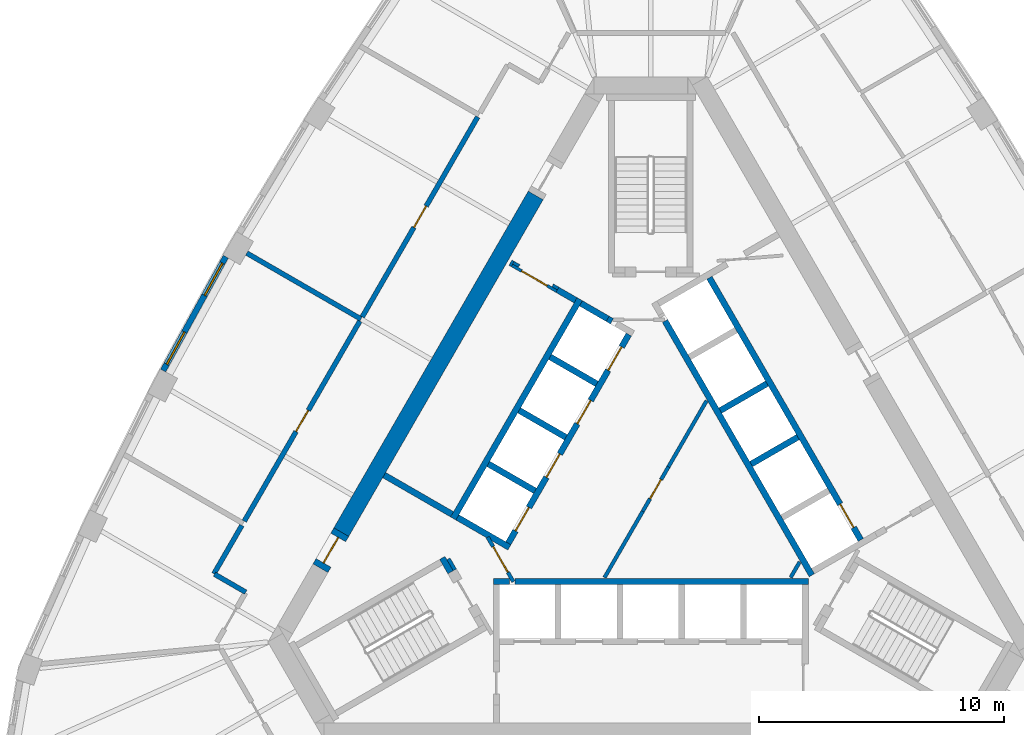
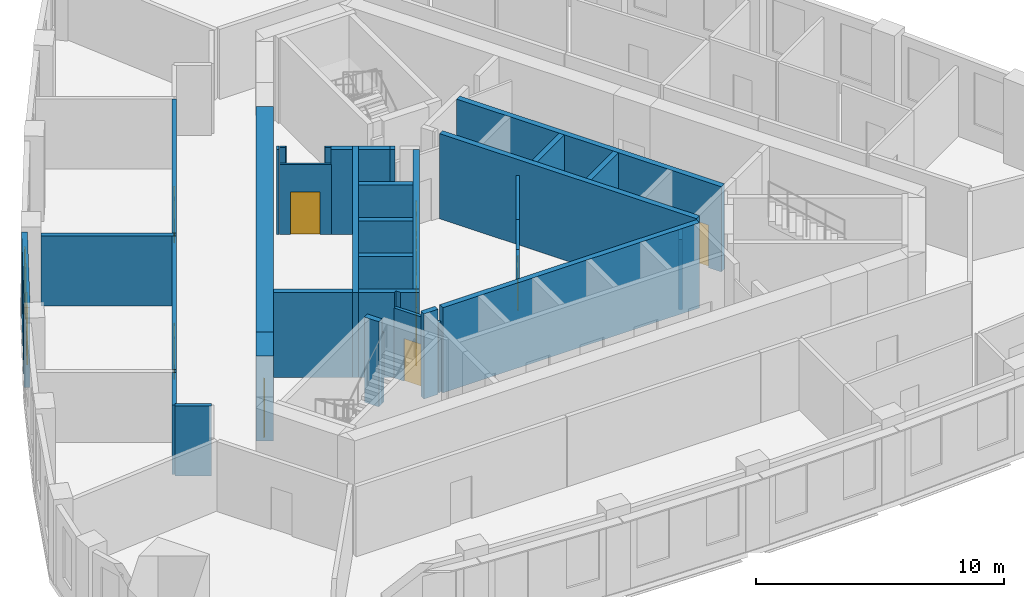
# One storey, part 4 of 10: 35 walls, 11 doors, 2 windows, 13 openings.
"""IFC4 building model written with IfcOpenShell, lengths in metres."""

from ifc_helpers import new_model, si_unit, direction, frame, frame_2d, origin, place, context, subcontext, project, spatial, polyline, rectangle, outline, extrude, material, layer, layer_set, type_object, element, fill, save


model = new_model("IFC4")

# Units and contexts
model_context = context("Model", 3, precision=1e-05, world=origin(), true_north=direction((0.0, 1.0)))
body_context = subcontext(model_context, "Body", "Model", "MODEL_VIEW")
ifc_project = project(units=[si_unit("LENGTHUNIT", "METRE"), si_unit("AREAUNIT", "SQUARE_METRE"), si_unit("VOLUMEUNIT", "CUBIC_METRE"), si_unit("PLANEANGLEUNIT", "RADIAN"), si_unit("MASSUNIT", "GRAM", prefix="KILO")], contexts=[model_context])

# Site, building, storey
site_placement = place(None, origin())
site = spatial("IfcSite", under=ifc_project, at=site_placement, CompositionType="ELEMENT")
building_placement = place(site_placement, origin())
building = spatial("IfcBuilding", under=site, at=building_placement, Name="Mestral Congress Tower", CompositionType="ELEMENT")
storey_placement = place(building_placement, frame((0.0, 0.0, 231.0)))
storey = spatial("IfcBuildingStorey", under=building, at=storey_placement, Name="L54", CompositionType="ELEMENT", Elevation=231.0)

# Walls
ifc_material_1 = material(Name="Fire-rated board partition")
ifc_layer_1 = layer(ifc_material_1, 0.14990234375)
ifc_layer_set_1 = layer_set([ifc_layer_1], Name="Fire-rated board partition")
wall_type_1 = type_object("IfcWallType", Name="Core partition 150", PredefinedType="PARTITIONING", material=ifc_layer_set_1)
wall_1_placement = place(storey_placement, frame((-8.251953125, -2.958251953125, 0.0), z_axis=(0.0, 0.0, 1.0), x_axis=(0.500174715838, -0.865924508047, 0.0)))
element("IfcWall", 1, at=wall_1_placement, inside=storey, type_object=wall_type_1, Name="L54 core wall", PredefinedType="PARTITIONING", context=body_context, shape_type="SweptSolid", body=[
    extrude(rectangle(XDim=0.513916015625, YDim=0.14990234375, at=frame_2d((0.2568359375, 0.0))), origin(), (0.0, 0.0, 1.0), 3.449951171875),
])
wall_2_placement = place(storey_placement, frame((5.704833984375, -3.718017578125, 0.0), z_axis=(0.0, 0.0, 1.0), x_axis=(0.499962090823, 0.866047289552, 0.0)))
element("IfcWall", 2, at=wall_2_placement, inside=storey, type_object=wall_type_1, Name="L54 core wall", PredefinedType="PARTITIONING", context=body_context, shape_type="SweptSolid", body=[
    extrude(rectangle(XDim=0.73486328125, YDim=0.14990234375, at=frame_2d((0.367431640625, 0.0))), origin(), (0.0, 0.0, 1.0), 3.449951171875),
])
wall_3_placement = place(storey_placement, frame((-1.886962890625, -3.71826171875, 0.0), z_axis=(0.0, 0.0, 1.0), x_axis=(0.500043732237, 0.866000153493, 0.0)))
element("IfcWall", 3, at=wall_3_placement, inside=storey, type_object=wall_type_1, Name="L54 core wall", PredefinedType="PARTITIONING", context=body_context, shape_type="SweptSolid", body=[
    extrude(rectangle(XDim=3.113525390625, YDim=0.14990234375, at=frame_2d((1.556640625, 0.0))), origin(), (0.0, 0.0, 1.0), 3.449951171875),
])
wall_4_placement = place(storey_placement, frame((0.719970703125, 0.796875, 0.0), z_axis=(0.0, 0.0, 1.0), x_axis=(0.499984921984, 0.866034108906, 0.0)))
element("IfcWall", 4, at=wall_4_placement, inside=storey, type_object=wall_type_1, Name="L54 core wall", PredefinedType="PARTITIONING", context=body_context, shape_type="SweptSolid", body=[
    extrude(rectangle(XDim=3.11328125, YDim=0.14990234375, at=frame_2d((1.556640625, 0.0))), origin(), (0.0, 0.0, 1.0), 3.449951171875),
])

# Wall, opening, door
wall_5_placement = place(storey_placement, frame((-0.330078125, -1.021728515625, 0.0), z_axis=(0.0, 0.0, 1.0), x_axis=(0.500027713859, 0.866009402589, 0.0)))
wall_5 = element("IfcWall", 5, at=wall_5_placement, inside=storey, type_object=wall_type_1, Name="L54 door wall", PredefinedType="PARTITIONING", context=body_context, shape_type="SweptSolid", body=[
    extrude(rectangle(XDim=2.10009765625, YDim=0.14990234375, at=frame_2d((1.050048828125, 0.0))), origin(), (0.0, 0.0, 1.0), 3.449951171875),
])
opening_1_placement = place(wall_5_placement, frame((0.60009765625, 0.0, 0.0)))
opening_1 = element("IfcOpeningElement", 6, at=opening_1_placement, cuts=wall_5, Name="Opening CD1-HUB0", PredefinedType="OPENING", context=body_context, shape_type="SweptSolid", body=[
    extrude(rectangle(XDim=0.89990234375, YDim=2.10009765625, at=frame_2d((0.449951171875, 1.050048828125))), frame((0.0, 0.0849609375, 0.0), z_axis=(0.0, -1.0, 0.0), x_axis=(1.0, 0.0, 0.0)), (0.0, 0.0, 1.0), 0.169921875),
])
ifc_material_2 = material(Name="Fire-rated steel door set", Category="steel")
door_type_1 = type_object("IfcDoorType", Name="Core door CD 900x2100", OperationType="SINGLE_SWING_LEFT", PredefinedType="DOOR", material=ifc_material_2)
door_1_placement = place(opening_1_placement, origin())
door_1 = element("IfcDoor", 7, at=door_1_placement, inside=storey, type_object=door_type_1, Name="Door CD1-HUB0", OperationType="SINGLE_SWING_LEFT", OverallHeight=2.10009765625, OverallWidth=0.89990234375, PredefinedType="DOOR", context=body_context, shape_type="SweptSolid", body=[
    extrude(rectangle(XDim=0.89990234375, YDim=2.10009765625, at=frame_2d((0.449951171875, 1.050048828125))), frame((0.0, 0.02490234375, 0.0), z_axis=(0.0, -1.0, 0.0), x_axis=(1.0, 0.0, 0.0)), (0.0, 0.0, 1.0), 0.050048828125),
])
fill(opening_1, door_1)

wall_6_placement = place(storey_placement, frame((-5.606201171875, -3.8896484375, 0.0), z_axis=(0.0, 0.0, 1.0), x_axis=(-0.500027713859, 0.866009402589, 0.0)))
wall_6 = element("IfcWall", 8, at=wall_6_placement, inside=storey, type_object=wall_type_1, Name="L54 door wall", PredefinedType="PARTITIONING", context=body_context, shape_type="SweptSolid", body=[
    extrude(rectangle(XDim=2.10009765625, YDim=0.14990234375, at=frame_2d((1.050048828125, 0.0))), origin(), (0.0, 0.0, 1.0), 3.449951171875),
])
opening_2_placement = place(wall_6_placement, frame((0.449951171875, 0.0, 0.0)))
opening_2 = element("IfcOpeningElement", 9, at=opening_2_placement, cuts=wall_6, Name="Opening CD3-FF", PredefinedType="OPENING", context=body_context, shape_type="SweptSolid", body=[
    extrude(rectangle(XDim=1.199951171875, YDim=2.10009765625, at=frame_2d((0.60009765625, 1.050048828125))), frame((0.0, 0.0849609375, 0.0), z_axis=(0.0, -1.0, 0.0), x_axis=(1.0, 0.0, 0.0)), (0.0, 0.0, 1.0), 0.169921875),
])
door_type_2 = type_object("IfcDoorType", Name="Core door CD 1200x2100", OperationType="SINGLE_SWING_LEFT", PredefinedType="DOOR", material=ifc_material_2)
door_2_placement = place(opening_2_placement, origin())
door_2 = element("IfcDoor", 10, at=door_2_placement, inside=storey, type_object=door_type_2, Name="Door CD3-FF", OperationType="SINGLE_SWING_LEFT", OverallHeight=2.10009765625, OverallWidth=1.199951171875, PredefinedType="DOOR", context=body_context, shape_type="SweptSolid", body=[
    extrude(rectangle(XDim=1.199951171875, YDim=2.10009765625, at=frame_2d((0.60009765625, 1.050048828125))), frame((0.0, 0.02490234375, 0.0), z_axis=(0.0, -1.0, 0.0), x_axis=(1.0, 0.0, 0.0)), (0.0, 0.0, 1.0), 0.050048828125),
])
fill(opening_2, door_2)

ifc_layer_2 = layer(ifc_material_1, 0.1201171875)
ifc_layer_set_2 = layer_set([ifc_layer_2], Name="Fire-rated board partition")
wall_type_2 = type_object("IfcWallType", Name="Core partition 150 door-wall 120", PredefinedType="PARTITIONING", material=ifc_layer_set_2)
wall_7_placement = place(storey_placement, frame((-5.65869140625, 9.01171875, 0.0), z_axis=(0.0, 0.0, 1.0), x_axis=(0.866009402589, -0.500027713859, 0.0)))
wall_7 = element("IfcWall", 11, at=wall_7_placement, inside=storey, type_object=wall_type_2, Name="L54 door wall", PredefinedType="PARTITIONING", context=body_context, shape_type="SweptSolid", body=[
    extrude(rectangle(XDim=2.10009765625, YDim=0.1201171875, at=frame_2d((1.050048828125, 0.0))), origin(), (0.0, 0.0, 1.0), 3.449951171875),
])
opening_3_placement = place(wall_7_placement, frame((0.449951171875, 0.0, 0.0)))
opening_3 = element("IfcOpeningElement", 12, at=opening_3_placement, cuts=wall_7, Name="Opening LB2-WL2", PredefinedType="OPENING", context=body_context, shape_type="SweptSolid", body=[
    extrude(rectangle(XDim=1.199951171875, YDim=2.10009765625, at=frame_2d((0.60009765625, 1.050048828125))), frame((0.0, 0.070068359375, 0.0), z_axis=(0.0, -1.0, 0.0), x_axis=(1.0, 0.0, 0.0)), (0.0, 0.0, 1.0), 0.14013671875),
])
door_type_3 = type_object("IfcDoorType", Name="Core door LB 1200x2100", OperationType="SINGLE_SWING_LEFT", PredefinedType="DOOR", material=ifc_material_2)
door_3_placement = place(opening_3_placement, origin())
door_3 = element("IfcDoor", 13, at=door_3_placement, inside=storey, type_object=door_type_3, Name="Door LB2-WL2", OperationType="SINGLE_SWING_LEFT", OverallHeight=2.10009765625, OverallWidth=1.199951171875, PredefinedType="DOOR", context=body_context, shape_type="SweptSolid", body=[
    extrude(rectangle(XDim=1.199951171875, YDim=2.10009765625, at=frame_2d((0.60009765625, 1.050048828125))), frame((0.0, 0.02490234375, 0.0), z_axis=(0.0, -1.0, 0.0), x_axis=(1.0, 0.0, 0.0)), (0.0, 0.0, 1.0), 0.050048828125),
])
fill(opening_3, door_3)

# Wall
ifc_material_3 = material(Name="Concrete C60/75", Category="concrete")
ifc_layer_3 = layer(ifc_material_3, 0.699951171875)
ifc_layer_set_3 = layer_set([ifc_layer_3], Name="Concrete C60/75")
wall_type_3 = type_object("IfcWallType", Name="Core wall RC 700", PredefinedType="SOLIDWALL", material=ifc_layer_set_3)
wall_8_placement = place(storey_placement, frame((-12.625, -1.866943359375, 0.0), z_axis=(0.0, 0.0, 1.0), x_axis=(0.500008520515, 0.866020484407, 0.0)))
element("IfcWall", 14, at=wall_8_placement, inside=storey, type_object=wall_type_3, Name="L54 core wall", PredefinedType="SOLIDWALL", context=body_context, shape_type="SweptSolid", body=[
    extrude(rectangle(XDim=15.858642578125, YDim=0.699951171875, at=frame_2d((7.92919921875, 0.0))), origin(), (0.0, 0.0, 1.0), 4.199951171875),
])

# Wall, opening, door
wall_9_placement = place(storey_placement, frame((-13.474853515625, -3.339111328125, 0.0), z_axis=(0.0, 0.0, 1.0), x_axis=(0.499954529098, 0.86605165483, 0.0)))
wall_9 = element("IfcWall", 15, at=wall_9_placement, inside=storey, type_object=wall_type_3, Name="L54 door wall", PredefinedType="SOLIDWALL", context=body_context, shape_type="SweptSolid", body=[
    extrude(rectangle(XDim=1.699951171875, YDim=0.699951171875, at=frame_2d((0.85009765625, 0.0))), origin(), (0.0, 0.0, 1.0), 4.199951171875),
])
opening_4_placement = place(wall_9_placement, frame((0.25, 0.0, 0.0)))
opening_4 = element("IfcOpeningElement", 16, at=opening_4_placement, cuts=wall_9, Name="Opening XD3", PredefinedType="OPENING", context=body_context, shape_type="SweptSolid", body=[
    extrude(rectangle(XDim=1.199951171875, YDim=2.10009765625, at=frame_2d((0.60009765625, 1.050048828125))), frame((0.0, 0.35986328125, 0.0), z_axis=(0.0, -1.0, 0.0), x_axis=(1.0, 0.0, 0.0)), (0.0, 0.0, 1.0), 0.719970703125),
])
door_type_4 = type_object("IfcDoorType", Name="Core door XD 1200x2100", OperationType="SINGLE_SWING_LEFT", PredefinedType="DOOR", material=ifc_material_2)
door_4_placement = place(opening_4_placement, origin())
door_4 = element("IfcDoor", 17, at=door_4_placement, inside=storey, type_object=door_type_4, Name="Door XD3", OperationType="SINGLE_SWING_LEFT", OverallHeight=2.10009765625, OverallWidth=1.199951171875, PredefinedType="DOOR", context=body_context, shape_type="SweptSolid", body=[
    extrude(rectangle(XDim=1.199951171875, YDim=2.10009765625, at=frame_2d((0.60009765625, 1.050048828125))), frame((0.0, 0.02490234375, 0.0), z_axis=(0.0, -1.0, 0.0), x_axis=(1.0, 0.0, 0.0)), (0.0, 0.0, 1.0), 0.050048828125),
])
fill(opening_4, door_4)

# Wall, openings, windows
ifc_material_4 = material(Name="Precast concrete C40/50 with limestone facing", Category="masonry")
ifc_layer_4 = layer(ifc_material_4, 0.239990234375)
ifc_layer_set_4 = layer_set([ifc_layer_4], Name="Precast concrete C40/50 with limestone facing")
wall_type_4 = type_object("IfcWallType", Name="Facade stone wall 240", PredefinedType="SOLIDWALL", material=ifc_layer_set_4)
wall_10_placement = place(storey_placement, frame((-17.338134765625, 9.367919921875, 0.0), z_axis=(0.0, 0.0, 1.0), x_axis=(-0.481925825015, -0.876212017256, 0.0)))
wall_10 = element("IfcWall", 18, at=wall_10_placement, inside=storey, type_object=wall_type_4, Name="Facade wall F2-03", PredefinedType="SOLIDWALL", context=body_context, shape_type="SweptSolid", body=[
    extrude(rectangle(XDim=5.298583984375, YDim=0.239990234375, at=frame_2d((2.6494140625, 0.0))), origin(), (0.0, 0.0, 1.0), 3.949951171875),
])
opening_5_placement = place(wall_10_placement, frame((0.294677734375, 0.0, 0.89990234375)))
opening_5 = element("IfcOpeningElement", 19, at=opening_5_placement, cuts=wall_10, Name="Opening W4", PredefinedType="OPENING", context=body_context, shape_type="SweptSolid", body=[
    extrude(rectangle(XDim=1.5, YDim=2.550048828125, at=frame_2d((0.75, 1.27490234375))), frame((0.0, 0.1298828125, 0.0), z_axis=(0.0, -1.0, 0.0), x_axis=(1.0, 0.0, 0.0)), (0.0, 0.0, 1.0), 0.260009765625),
])
opening_6_placement = place(wall_10_placement, frame((3.503662109375, 0.0, 0.89990234375)))
opening_6 = element("IfcOpeningElement", 20, at=opening_6_placement, cuts=wall_10, Name="Opening W4", PredefinedType="OPENING", context=body_context, shape_type="SweptSolid", body=[
    extrude(rectangle(XDim=1.5, YDim=2.550048828125, at=frame_2d((0.75, 1.27490234375))), frame((0.0, 0.1298828125, 0.0), z_axis=(0.0, -1.0, 0.0), x_axis=(1.0, 0.0, 0.0)), (0.0, 0.0, 1.0), 0.260009765625),
])
ifc_material_5 = material(Name="Clear low-emissivity double glazing", Category="glass")
window_type = type_object("IfcWindowType", Name="Facade punched window 1500 x 2550 sill 900", PartitioningType="SINGLE_PANEL", PredefinedType="WINDOW", material=ifc_material_5)
window_1_placement = place(opening_5_placement, origin())
window_1 = element("IfcWindow", 21, at=window_1_placement, inside=storey, type_object=window_type, Name="Window F2-03a", OverallHeight=2.550048828125, OverallWidth=1.5, PartitioningType="SINGLE_PANEL", PredefinedType="WINDOW", context=body_context, shape_type="SweptSolid", body=[
    extrude(rectangle(XDim=1.5, YDim=2.550048828125, at=frame_2d((0.75, 1.27490234375))), frame((0.0, 0.0400390625, 0.0), z_axis=(0.0, -1.0, 0.0), x_axis=(1.0, 0.0, 0.0)), (0.0, 0.0, 1.0), 0.06005859375),
])
fill(opening_5, window_1)
window_2_placement = place(opening_6_placement, origin())
window_2 = element("IfcWindow", 22, at=window_2_placement, inside=storey, type_object=window_type, Name="Window F2-03b", OverallHeight=2.550048828125, OverallWidth=1.5, PartitioningType="SINGLE_PANEL", PredefinedType="WINDOW", context=body_context, shape_type="SweptSolid", body=[
    extrude(rectangle(XDim=1.5, YDim=2.550048828125, at=frame_2d((0.75, 1.27490234375))), frame((0.0, 0.0400390625, 0.0), z_axis=(0.0, -1.0, 0.0), x_axis=(1.0, 0.0, 0.0)), (0.0, 0.0, 1.0), 0.06005859375),
])
fill(opening_6, window_2)

# Wall
ifc_material_6 = material(Name="Dense masonry wall, plastered", Category="masonry")
ifc_layer_5 = layer(ifc_material_6, 0.199951171875)
ifc_layer_set_5 = layer_set([ifc_layer_5], Name="Dense masonry wall, plastered")
wall_type_5 = type_object("IfcWallType", Name="Office tenancy wall 200", PredefinedType="PARTITIONING", material=ifc_layer_set_5)
wall_11_placement = place(storey_placement, frame((-11.8212890625, 6.824951171875, 0.0), z_axis=(0.0, 0.0, 1.0), x_axis=(-0.866011792348, 0.500023574959, 0.0)))
element("IfcWall", 23, at=wall_11_placement, inside=storey, type_object=wall_type_5, Name="Tenancy wall", PredefinedType="PARTITIONING", context=body_context, shape_type="SweptSolid", body=[
    extrude(rectangle(XDim=5.380615234375, YDim=0.199951171875, at=frame_2d((2.6904296875, 0.0))), origin(), (0.0, 0.0, 1.0), 3.449951171875),
])

# Wall, opening, door
wall_12_placement = place(storey_placement, frame((-7.061279296875, 15.0693359375, 0.0), z_axis=(0.0, 0.0, 1.0), x_axis=(-0.500008127286, -0.866020711443, 0.0)))
wall_12 = element("IfcWall", 24, at=wall_12_placement, inside=storey, type_object=wall_type_5, Name="Tenancy wall", PredefinedType="PARTITIONING", context=body_context, shape_type="SweptSolid", body=[
    extrude(rectangle(XDim=9.419677734375, YDim=0.199951171875, at=frame_2d((4.7099609375, 0.0))), origin(), (0.0, 0.0, 1.0), 3.449951171875),
])
opening_7_placement = place(wall_12_placement, frame((4.199951171875, 0.0, 0.0)))
opening_7 = element("IfcOpeningElement", 25, at=opening_7_placement, cuts=wall_12, Name="Opening O08-002", PredefinedType="OPENING", context=body_context, shape_type="SweptSolid", body=[
    extrude(rectangle(XDim=1.0, YDim=2.10009765625, at=frame_2d((0.5, 1.050048828125))), frame((0.0, 0.10986328125, 0.0), z_axis=(0.0, -1.0, 0.0), x_axis=(1.0, 0.0, 0.0)), (0.0, 0.0, 1.0), 0.219970703125),
])
ifc_material_7 = material(Name="Fire-rated timber door set", Category="wood")
door_type_5 = type_object("IfcDoorType", Name="Office tenancy entrance door 1000x2100", OperationType="SINGLE_SWING_LEFT", PredefinedType="DOOR", material=ifc_material_7)
door_5_placement = place(opening_7_placement, origin())
door_5 = element("IfcDoor", 26, at=door_5_placement, inside=storey, type_object=door_type_5, Name="Door O08-002", OperationType="SINGLE_SWING_LEFT", OverallHeight=2.10009765625, OverallWidth=1.0, PredefinedType="DOOR", context=body_context, shape_type="SweptSolid", body=[
    extrude(rectangle(XDim=1.0, YDim=2.10009765625, at=frame_2d((0.5, 1.050048828125))), frame((0.0, 0.02490234375, 0.0), z_axis=(0.0, -1.0, 0.0), x_axis=(1.0, 0.0, 0.0)), (0.0, 0.0, 1.0), 0.050048828125),
])
fill(opening_7, door_5)

wall_13_placement = place(storey_placement, frame((-11.87109375, 6.73828125, 0.0), z_axis=(0.0, 0.0, 1.0), x_axis=(-0.500019350398, -0.866014231539, 0.0)))
wall_13 = element("IfcWall", 27, at=wall_13_placement, inside=storey, type_object=wall_type_5, Name="Tenancy wall", PredefinedType="PARTITIONING", context=body_context, shape_type="SweptSolid", body=[
    extrude(rectangle(XDim=9.419677734375, YDim=0.199951171875, at=frame_2d((4.7099609375, 0.0))), origin(), (0.0, 0.0, 1.0), 3.449951171875),
])
opening_8_placement = place(wall_13_placement, frame((4.199951171875, 0.0, 0.0)))
opening_8 = element("IfcOpeningElement", 28, at=opening_8_placement, cuts=wall_13, Name="Opening O08-003", PredefinedType="OPENING", context=body_context, shape_type="SweptSolid", body=[
    extrude(rectangle(XDim=1.0, YDim=2.10009765625, at=frame_2d((0.5, 1.050048828125))), frame((0.0, 0.10986328125, 0.0), z_axis=(0.0, -1.0, 0.0), x_axis=(1.0, 0.0, 0.0)), (0.0, 0.0, 1.0), 0.219970703125),
])
door_6_placement = place(opening_8_placement, origin())
door_6 = element("IfcDoor", 29, at=door_6_placement, inside=storey, type_object=door_type_5, Name="Door O08-003", OperationType="SINGLE_SWING_LEFT", OverallHeight=2.10009765625, OverallWidth=1.0, PredefinedType="DOOR", context=body_context, shape_type="SweptSolid", body=[
    extrude(rectangle(XDim=1.0, YDim=2.10009765625, at=frame_2d((0.5, 1.050048828125))), frame((0.0, 0.02490234375, 0.0), z_axis=(0.0, -1.0, 0.0), x_axis=(1.0, 0.0, 0.0)), (0.0, 0.0, 1.0), 0.050048828125),
])
fill(opening_8, door_6)

# Walls
wall_14_placement = place(storey_placement, frame((-16.68115234375, -1.592529296875, 0.0), z_axis=(0.0, 0.0, 1.0), x_axis=(-0.499985038317, -0.866034041744, 0.0)))
element("IfcWall", 30, at=wall_14_placement, inside=storey, type_object=wall_type_5, Name="Tenancy wall", PredefinedType="PARTITIONING", context=body_context, shape_type="SweptSolid", body=[
    extrude(rectangle(XDim=2.2802734375, YDim=0.199951171875, at=frame_2d((1.14013671875, 0.0))), origin(), (0.0, 0.0, 1.0), 3.449951171875),
])
wall_15_placement = place(storey_placement, frame((-17.79541015625, -3.582275390625, 0.0), z_axis=(0.0, 0.0, 1.0), x_axis=(0.866016893711, -0.50001473959, 0.0)))
element("IfcWall", 31, at=wall_15_placement, inside=storey, type_object=wall_type_5, Name="Tenancy wall", PredefinedType="PARTITIONING", context=body_context, shape_type="SweptSolid", body=[
    extrude(rectangle(XDim=1.47021484375, YDim=0.199951171875, at=frame_2d((0.735107421875, 0.0))), origin(), (0.0, 0.0, 1.0), 3.449951171875),
])
ifc_layer_6 = layer(ifc_material_3, 0.25)
ifc_layer_set_6 = layer_set([ifc_layer_6], Name="Concrete C60/75")
wall_type_6 = type_object("IfcWallType", Name="Shaft wall RC 250", PredefinedType="SOLIDWALL", material=ifc_layer_set_6)
wall_16_placement = place(storey_placement, frame((-5.544921875, -3.875, 0.0), z_axis=(0.0, 0.0, 1.0), x_axis=(1.0, 0.0, 0.0)))
element("IfcWall", 32, at=wall_16_placement, inside=storey, type_object=wall_type_6, Name="L54 core wall", PredefinedType="SOLIDWALL", context=body_context, shape_type="SweptSolid", body=[
    extrude(rectangle(XDim=11.969970703125, YDim=0.25, at=frame_2d((5.98486328125, 0.0))), origin(), (0.0, 0.0, 1.0), 4.199951171875),
])
wall_17_placement = place(storey_placement, frame((-6.425048828125, -3.875, 0.0), z_axis=(0.0, 0.0, 1.0), x_axis=(1.0, 0.0, 0.0)))
element("IfcWall", 33, at=wall_17_placement, inside=storey, type_object=wall_type_6, Name="L54 core wall", PredefinedType="SOLIDWALL", context=body_context, shape_type="SweptSolid", body=[
    extrude(rectangle(XDim=0.657958984375, YDim=0.25, at=frame_2d((0.3291015625, 0.0))), origin(), (0.0, 0.0, 1.0), 4.199951171875),
])
wall_18_placement = place(storey_placement, frame((6.568359375, -3.626708984375, 0.0), z_axis=(0.0, 0.0, 1.0), x_axis=(-0.499999455981, 0.866025717874, 0.0)))
element("IfcWall", 34, at=wall_18_placement, inside=storey, type_object=wall_type_6, Name="L54 core wall", PredefinedType="SOLIDWALL", context=body_context, shape_type="SweptSolid", body=[
    extrude(rectangle(XDim=11.97802734375, YDim=0.25, at=frame_2d((5.989013671875, 0.0))), origin(), (0.0, 0.0, 1.0), 4.199951171875),
])
for number, where, z_axis, x_axis, name in (
    (35, (2.833984375, 3.091064453125, 0.0), (0.0, 0.0, 1.0), (0.866008176907, 0.50002983664, 0.0), "L54 core wall"),
    (36, (4.093994140625, 0.90869140625, 0.0), (0.0, 0.0, 1.0), (0.866008176907, 0.50002983664, 0.0), "L54 core wall"),
):
    element("IfcWall", number, at=place(storey_placement, frame(where, z_axis=z_axis, x_axis=x_axis)), inside=storey, type_object=wall_type_6, Name=name, PredefinedType="SOLIDWALL", context=body_context, shape_type="SweptSolid", body=[
        extrude(rectangle(XDim=2.199951171875, YDim=0.25, at=frame_2d((1.10009765625, 0.0))), origin(), (0.0, 0.0, 1.0), 4.199951171875),
    ])
wall_19_placement = place(storey_placement, frame((-8.06005859375, -1.310546875, 0.0), z_axis=(0.0, 0.0, 1.0), x_axis=(0.50000273126, 0.866023826885, 0.0)))
element("IfcWall", 37, at=wall_19_placement, inside=storey, type_object=wall_type_6, Name="L54 core wall", PredefinedType="SOLIDWALL", context=body_context, shape_type="SweptSolid", body=[
    extrude(rectangle(XDim=10.330078125, YDim=0.25, at=frame_2d((5.1650390625, 0.0))), origin(), (0.0, 0.0, 1.0), 4.199951171875),
])
wall_20_placement = place(storey_placement, frame((-1.75830078125, 6.834716796875, 0.0), z_axis=(0.0, 0.0, 1.0), x_axis=(0.865982457891, -0.500074377092, 0.0)))
element("IfcWall", 38, at=wall_20_placement, inside=storey, type_object=wall_type_6, Name="L54 core wall", PredefinedType="SOLIDWALL", context=body_context, shape_type="SweptSolid", body=[
    extrude(rectangle(XDim=0.2001953125, YDim=0.25, at=frame_2d((0.10009765625, 0.0))), origin(), (0.0, 0.0, 1.0), 4.199951171875),
])
wall_21_placement = place(storey_placement, frame((-1.760009765625, 6.835693359375, 0.0), z_axis=(0.0, 0.0, 1.0), x_axis=(-0.865952863304, 0.500125622755, 0.0)))
element("IfcWall", 39, at=wall_21_placement, inside=storey, type_object=wall_type_6, Name="L54 core wall", PredefinedType="SOLIDWALL", context=body_context, shape_type="SweptSolid", body=[
    extrude(rectangle(XDim=1.258056640625, YDim=0.25, at=frame_2d((0.62890625, 0.0))), origin(), (0.0, 0.0, 1.0), 4.199951171875),
])
for number, where, z_axis, x_axis, name in (
    (40, (-2.2041015625, 4.182373046875, 0.0), (0.0, 0.0, 1.0), (-0.866008176907, 0.50002983664, 0.0), "L54 core wall"),
    (41, (-5.369384765625, 3.10009765625, 0.0), (0.0, 0.0, 1.0), (0.866008176907, -0.50002983664, 0.0), "L54 core wall"),
    (42, (-4.72412109375, -0.182373046875, 0.0), (0.0, 0.0, 1.0), (-0.866008176907, 0.50002983664, 0.0), "L54 core wall"),
):
    element("IfcWall", number, at=place(storey_placement, frame(where, z_axis=z_axis, x_axis=x_axis)), inside=storey, type_object=wall_type_6, Name=name, PredefinedType="SOLIDWALL", context=body_context, shape_type="SweptSolid", body=[
        extrude(rectangle(XDim=2.199951171875, YDim=0.25, at=frame_2d((1.10009765625, 0.0))), origin(), (0.0, 0.0, 1.0), 4.199951171875),
    ])
placement = place(storey_placement, origin())
element("IfcWall", 43, at=placement, inside=storey, type_object=wall_type_6, Name="L54 core wall", PredefinedType="SOLIDWALL", context=body_context, shape_type="SweptSolid", body=[
    extrude(outline(polyline([(-5.921630859375, -2.256591796875), (-5.921630859375, -2.256591796875), (-5.705078125, -2.381591796875), (-5.830078125, -2.597900390625), (-6.48291015625, -2.22119140625), (-6.59130859375, -2.033447265625), (-6.59130859375, -2.033447265625), (-6.69970703125, -2.095947265625), (-7.951904296875, -1.373046875), (-7.826904296875, -1.156494140625), (-5.921630859375, -2.256591796875)])), origin(), (0.0, 0.0, 1.0), 4.199951171875),
])
wall_23_placement = place(storey_placement, frame((-8.10595703125, -1.139892578125, 0.0), z_axis=(0.0, 0.0, 1.0), x_axis=(-0.866008981251, 0.500028443584, 0.0)))
element("IfcWall", 44, at=wall_23_placement, inside=storey, type_object=wall_type_6, Name="L54 core wall", PredefinedType="SOLIDWALL", context=body_context, shape_type="SweptSolid", body=[
    extrude(rectangle(XDim=3.199951171875, YDim=0.25, at=frame_2d((1.60009765625, 0.0))), origin(), (0.0, 0.0, 1.0), 4.199951171875),
])
wall_24_placement = place(storey_placement, frame((-5.724609375, 9.124755859375, 0.0), z_axis=(0.0, 0.0, 1.0), x_axis=(0.866185586049, -0.49972245349, 0.0)))
element("IfcWall", 45, at=wall_24_placement, inside=storey, type_object=wall_type_6, Name="L54 core wall", PredefinedType="SOLIDWALL", context=body_context, shape_type="SweptSolid", body=[
    extrude(rectangle(XDim=0.10986328125, YDim=0.25, at=frame_2d((0.054931640625, 0.0))), origin(), (0.0, 0.0, 1.0), 4.199951171875),
])
wall_25_placement = place(storey_placement, frame((-3.06591796875, 7.58984375, 0.0), z_axis=(0.0, 0.0, 1.0), x_axis=(-0.866081358704, 0.49990307071, 0.0)))
element("IfcWall", 46, at=wall_25_placement, inside=storey, type_object=wall_type_6, Name="L54 core wall", PredefinedType="SOLIDWALL", context=body_context, shape_type="SweptSolid", body=[
    extrude(rectangle(XDim=0.858154296875, YDim=0.25, at=frame_2d((0.42919921875, 0.0))), origin(), (0.0, 0.0, 1.0), 4.199951171875),
])
element("IfcWall", 47, at=placement, inside=storey, type_object=wall_type_6, Name="L54 core wall", PredefinedType="SOLIDWALL", context=body_context, shape_type="SweptSolid", body=[
    extrude(outline(polyline([(-3.748291015625, 8.1279296875), (-3.813232421875, 8.015380859375), (-4.026611328125, 8.138671875), (-4.0166015625, 8.156005859375), (-4.007568359375, 8.17333984375), (-4.000244140625, 8.191650390625), (-3.994873046875, 8.21044921875), (-3.991455078125, 8.229736328125), (-3.98974609375, 8.24951171875), (-3.989990234375, 8.267578125), (-3.748291015625, 8.1279296875)])), origin(), (0.0, 0.0, 1.0), 4.199951171875),
])
element("IfcWall", 48, at=placement, inside=storey, type_object=wall_type_6, Name="L54 core wall", PredefinedType="SOLIDWALL", context=body_context, shape_type="SweptSolid", body=[
    extrude(outline(polyline([(-5.688720703125, 8.959716796875), (-5.690185546875, 8.960693359375), (-5.565185546875, 9.177001953125), (-5.318603515625, 9.03466796875), (-5.334716796875, 9.02587890625), (-5.3505859375, 9.0146484375), (-5.36572265625, 9.001953125), (-5.37939453125, 8.98779296875), (-5.3916015625, 8.972412109375), (-5.402099609375, 8.955810546875), (-5.412109375, 8.938720703125), (-5.628662109375, 9.063720703125), (-5.628662109375, 9.063720703125), (-5.688720703125, 8.959716796875)])), origin(), (0.0, 0.0, 1.0), 4.199951171875),
])

# Wall, opening, door
wall_28_placement = place(storey_placement, frame((8.565185546875, -2.185302734375, 0.0), z_axis=(0.0, 0.0, 1.0), x_axis=(-0.499997954832, 0.866026584559, 0.0)))
wall_28 = element("IfcWall", 49, at=wall_28_placement, inside=storey, type_object=wall_type_6, Name="L54 door wall", PredefinedType="SOLIDWALL", context=body_context, shape_type="SweptSolid", body=[
    extrude(rectangle(XDim=12.35009765625, YDim=0.25, at=frame_2d((6.175048828125, 0.0))), origin(), (0.0, 0.0, 1.0), 4.199951171875),
])
opening_9_placement = place(wall_28_placement, frame((0.5849609375, 0.0, 0.0)))
opening_9 = element("IfcOpeningElement", 50, at=opening_9_placement, cuts=wall_28, Name="Opening LD-NEB1", PredefinedType="OPENING", context=body_context, shape_type="SweptSolid", body=[
    extrude(rectangle(XDim=1.10009765625, YDim=2.10009765625, at=frame_2d((0.550048828125, 1.050048828125))), frame((0.0, 0.135009765625, 0.0), z_axis=(0.0, -1.0, 0.0), x_axis=(1.0, 0.0, 0.0)), (0.0, 0.0, 1.0), 0.27001953125),
])
door_type_6 = type_object("IfcDoorType", Name="Core door LD 1100x2100", OperationType="DOUBLE_DOOR_SLIDING", PredefinedType="DOOR", material=ifc_material_2)
door_7_placement = place(opening_9_placement, origin())
door_7 = element("IfcDoor", 51, at=door_7_placement, inside=storey, type_object=door_type_6, Name="Door LD-NEB1", OperationType="DOUBLE_DOOR_SLIDING", OverallHeight=2.10009765625, OverallWidth=1.10009765625, PredefinedType="DOOR", context=body_context, shape_type="SweptSolid", body=[
    extrude(rectangle(XDim=1.10009765625, YDim=2.10009765625, at=frame_2d((0.550048828125, 1.050048828125))), frame((0.0, 0.02490234375, 0.0), z_axis=(0.0, -1.0, 0.0), x_axis=(1.0, 0.0, 0.0)), (0.0, 0.0, 1.0), 0.050048828125),
])
fill(opening_9, door_7)

# Wall, openings, doors
wall_29_placement = place(storey_placement, frame((-0.898193359375, 6.194091796875, 0.0), z_axis=(0.0, 0.0, 1.0), x_axis=(-0.499996202215, -0.866027596426, 0.0)))
wall_29 = element("IfcWall", 52, at=wall_29_placement, inside=storey, type_object=wall_type_6, Name="L54 door wall", PredefinedType="SOLIDWALL", context=body_context, shape_type="SweptSolid", body=[
    extrude(rectangle(XDim=9.830078125, YDim=0.25, at=frame_2d((4.9150390625, 0.0))), origin(), (0.0, 0.0, 1.0), 4.199951171875),
])
opening_10_placement = place(wall_29_placement, frame((0.5849609375, 0.0, 0.0)))
opening_10 = element("IfcOpeningElement", 53, at=opening_10_placement, cuts=wall_29, Name="Opening LD-NWB1", PredefinedType="OPENING", context=body_context, shape_type="SweptSolid", body=[
    extrude(rectangle(XDim=1.10009765625, YDim=2.10009765625, at=frame_2d((0.550048828125, 1.050048828125))), frame((0.0, 0.135009765625, 0.0), z_axis=(0.0, -1.0, 0.0), x_axis=(1.0, 0.0, 0.0)), (0.0, 0.0, 1.0), 0.27001953125),
])
opening_11_placement = place(wall_29_placement, frame((3.10498046875, 0.0, 0.0)))
opening_11 = element("IfcOpeningElement", 54, at=opening_11_placement, cuts=wall_29, Name="Opening LD-NWB2", PredefinedType="OPENING", context=body_context, shape_type="SweptSolid", body=[
    extrude(rectangle(XDim=1.10009765625, YDim=2.10009765625, at=frame_2d((0.550048828125, 1.050048828125))), frame((0.0, 0.135009765625, 0.0), z_axis=(0.0, -1.0, 0.0), x_axis=(1.0, 0.0, 0.0)), (0.0, 0.0, 1.0), 0.27001953125),
])
opening_12_placement = place(wall_29_placement, frame((5.625, 0.0, 0.0)))
opening_12 = element("IfcOpeningElement", 55, at=opening_12_placement, cuts=wall_29, Name="Opening LD-NWB3", PredefinedType="OPENING", context=body_context, shape_type="SweptSolid", body=[
    extrude(rectangle(XDim=1.10009765625, YDim=2.10009765625, at=frame_2d((0.550048828125, 1.050048828125))), frame((0.0, 0.135009765625, 0.0), z_axis=(0.0, -1.0, 0.0), x_axis=(1.0, 0.0, 0.0)), (0.0, 0.0, 1.0), 0.27001953125),
])
opening_13_placement = place(wall_29_placement, frame((8.14501953125, 0.0, 0.0)))
opening_13 = element("IfcOpeningElement", 56, at=opening_13_placement, cuts=wall_29, Name="Opening LD-NWB4", PredefinedType="OPENING", context=body_context, shape_type="SweptSolid", body=[
    extrude(rectangle(XDim=1.10009765625, YDim=2.10009765625, at=frame_2d((0.550048828125, 1.050048828125))), frame((0.0, 0.135009765625, 0.0), z_axis=(0.0, -1.0, 0.0), x_axis=(1.0, 0.0, 0.0)), (0.0, 0.0, 1.0), 0.27001953125),
])
door_8_placement = place(opening_10_placement, origin())
door_8 = element("IfcDoor", 57, at=door_8_placement, inside=storey, type_object=door_type_6, Name="Door LD-NWB1", OperationType="DOUBLE_DOOR_SLIDING", OverallHeight=2.10009765625, OverallWidth=1.10009765625, PredefinedType="DOOR", context=body_context, shape_type="SweptSolid", body=[
    extrude(rectangle(XDim=1.10009765625, YDim=2.10009765625, at=frame_2d((0.550048828125, 1.050048828125))), frame((0.0, 0.02490234375, 0.0), z_axis=(0.0, -1.0, 0.0), x_axis=(1.0, 0.0, 0.0)), (0.0, 0.0, 1.0), 0.050048828125),
])
fill(opening_10, door_8)
door_9_placement = place(opening_11_placement, origin())
door_9 = element("IfcDoor", 58, at=door_9_placement, inside=storey, type_object=door_type_6, Name="Door LD-NWB2", OperationType="DOUBLE_DOOR_SLIDING", OverallHeight=2.10009765625, OverallWidth=1.10009765625, PredefinedType="DOOR", context=body_context, shape_type="SweptSolid", body=[
    extrude(rectangle(XDim=1.10009765625, YDim=2.10009765625, at=frame_2d((0.550048828125, 1.050048828125))), frame((0.0, 0.02490234375, 0.0), z_axis=(0.0, -1.0, 0.0), x_axis=(1.0, 0.0, 0.0)), (0.0, 0.0, 1.0), 0.050048828125),
])
fill(opening_11, door_9)
door_10_placement = place(opening_12_placement, origin())
door_10 = element("IfcDoor", 59, at=door_10_placement, inside=storey, type_object=door_type_6, Name="Door LD-NWB3", OperationType="DOUBLE_DOOR_SLIDING", OverallHeight=2.10009765625, OverallWidth=1.10009765625, PredefinedType="DOOR", context=body_context, shape_type="SweptSolid", body=[
    extrude(rectangle(XDim=1.10009765625, YDim=2.10009765625, at=frame_2d((0.550048828125, 1.050048828125))), frame((0.0, 0.02490234375, 0.0), z_axis=(0.0, -1.0, 0.0), x_axis=(1.0, 0.0, 0.0)), (0.0, 0.0, 1.0), 0.050048828125),
])
fill(opening_12, door_10)
door_11_placement = place(opening_13_placement, origin())
door_11 = element("IfcDoor", 60, at=door_11_placement, inside=storey, type_object=door_type_6, Name="Door LD-NWB4", OperationType="DOUBLE_DOOR_SLIDING", OverallHeight=2.10009765625, OverallWidth=1.10009765625, PredefinedType="DOOR", context=body_context, shape_type="SweptSolid", body=[
    extrude(rectangle(XDim=1.10009765625, YDim=2.10009765625, at=frame_2d((0.550048828125, 1.050048828125))), frame((0.0, 0.02490234375, 0.0), z_axis=(0.0, -1.0, 0.0), x_axis=(1.0, 0.0, 0.0)), (0.0, 0.0, 1.0), 0.050048828125),
])
fill(opening_13, door_11)

# Wall
ifc_layer_7 = layer(ifc_material_3, 0.25)
ifc_layer_set_7 = layer_set([ifc_layer_7], Name="Concrete C60/75")
wall_type_7 = type_object("IfcWallType", Name="Stair wall RC 250", PredefinedType="SOLIDWALL", material=ifc_layer_set_7)
wall_30_placement = place(storey_placement, frame((-8.167724609375, -3.503173828125, 0.0), z_axis=(0.0, 0.0, 1.0), x_axis=(-0.499952099219, 0.866053057547, 0.0)))
element("IfcWall", 61, at=wall_30_placement, inside=storey, type_object=wall_type_7, Name="L54 core wall", PredefinedType="SOLIDWALL", context=body_context, shape_type="SweptSolid", body=[
    extrude(rectangle(XDim=0.6748046875, YDim=0.25, at=frame_2d((0.33740234375, 0.0))), origin(), (0.0, 0.0, 1.0), 4.199951171875),
])

save(model, "model.ifc")
